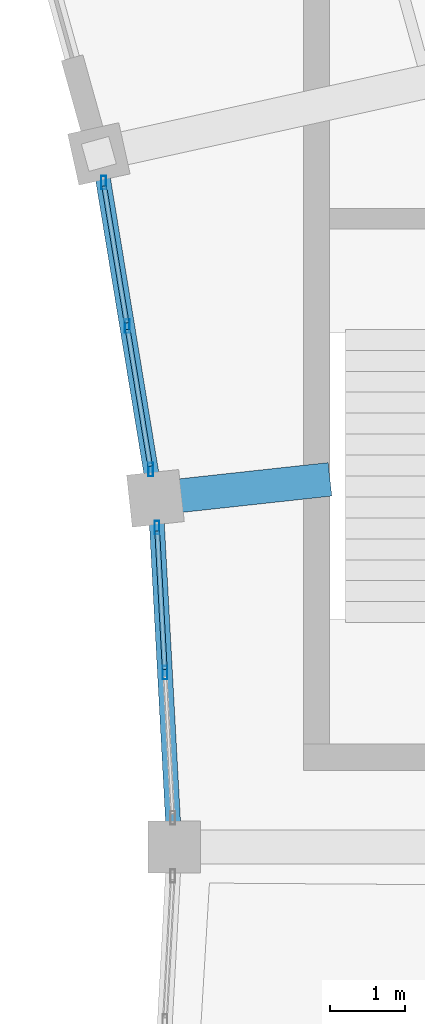
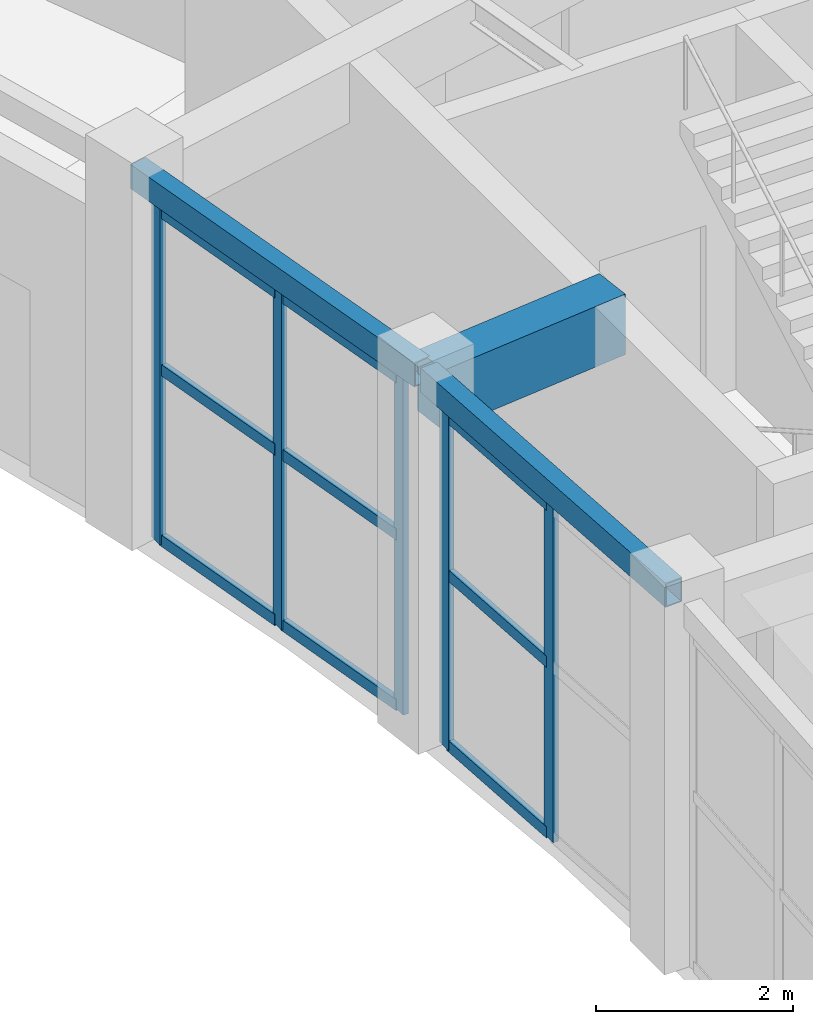
# One storey, part 68 of 108: 14 members, 3 beams, 2 elements without a shape of their own.
"""IFC4 building model written with IfcOpenShell, lengths in metres."""

from ifc_helpers import new_model, si_unit, direction, frame, origin, origin_2d, place, context, subcontext, project, spatial, rectangle, hollow_rectangle, extrude, material, material_profile, profile_set, type_object, element, aggregate, save


model = new_model("IFC4")

# Units and contexts
model_context = context("Model", 3, precision=1e-05, world=origin(), true_north=direction((0.0, 1.0)))
body_context = subcontext(model_context, "Body", "Model", "MODEL_VIEW")
ifc_project = project(units=[si_unit("LENGTHUNIT", "METRE"), si_unit("AREAUNIT", "SQUARE_METRE"), si_unit("VOLUMEUNIT", "CUBIC_METRE"), si_unit("PLANEANGLEUNIT", "RADIAN"), si_unit("MASSUNIT", "GRAM", prefix="KILO")], contexts=[model_context])

# Site, building, storey
site_placement = place(None, origin())
site = spatial("IfcSite", under=ifc_project, at=site_placement, CompositionType="ELEMENT")
building_placement = place(site_placement, origin())
building = spatial("IfcBuilding", under=site, at=building_placement, Name="Tarnveldt Headland Concert Hall", CompositionType="ELEMENT")
storey_placement = place(building_placement, origin())
storey = spatial("IfcBuildingStorey", under=building, at=storey_placement, Name="L00", CompositionType="ELEMENT", Elevation=0.0)

# Beam
ifc_material_1 = material(Name="Concrete C40/50", Category="concrete")
ifc_material_profile_1 = material_profile(ifc_material_1, rectangle(XDim=0.449951171875, YDim=0.75, at=origin_2d()), Name="RC 450x750", Category="concrete")
ifc_profile_set_1 = profile_set([ifc_material_profile_1], Name="Concrete C40/50")
beam_type_1 = type_object("IfcBeamType", Name="CB-450x750", PredefinedType="BEAM", material=ifc_profile_set_1)
beam_1_placement = place(storey_placement, frame((160.306396484375, 64.6669921875, 4.14501953125), z_axis=(0.994101758136, 0.108451346104, 0.0), x_axis=(-0.108451346104, 0.994101758136, 0.0)))
element("IfcBeam", 1, at=beam_1_placement, inside=storey, type_object=beam_type_1, Name="Framing beam L00-494", PredefinedType="BEAM", context=body_context, shape_type="SweptSolid", body=[
    extrude(rectangle(XDim=0.449951171875, YDim=0.75, at=origin_2d()), origin(), (0.0, 0.0, 1.0), 2.287109375),
])

# Curtain wall, members
ifc_material_2 = material(Name="Marine-anodised aluminium EN AW-6063-T6", Category="aluminium")
curtain_wall_type = type_object("IfcCurtainWallType", Name="CW-C1", PredefinedType="NOTDEFINED", material=ifc_material_2)
curtain_wall_1_placement = place(storey_placement, origin())
curtain_wall_1 = element("IfcCurtainWall", 2, at=curtain_wall_1_placement, inside=storey, type_object=curtain_wall_type, Name="Curtain wall CW-L00-102", PredefinedType="NOTDEFINED")
ifc_material_profile_2 = material_profile(ifc_material_2, hollow_rectangle(XDim=0.06494140625, YDim=0.179931640625, WallThickness=0.00390625, at=origin_2d()), Name="ALU MULLION 65x180x4", Category="aluminium")
ifc_profile_set_2 = profile_set([ifc_material_profile_2], Name="Marine-anodised aluminium EN AW-6063-T6")
member_type_1 = type_object("IfcMemberType", Name="ML-180", PredefinedType="MULLION", material=ifc_profile_set_2)
member_1_placement = place(storey_placement, frame((160.373291015625, 62.330322265625, 0.0), z_axis=(0.0, 0.0, 1.0), x_axis=(1.0, 0.0, 0.0)))
member_1 = element("IfcMember", 3, at=member_1_placement, type_object=member_type_1, Name="Mullion CW-L00-102-2", PredefinedType="MULLION", context=body_context, shape_type="SweptSolid", body=[
    extrude(hollow_rectangle(XDim=0.06494140625, YDim=0.179931640625, WallThickness=0.00390625, at=origin_2d()), origin(), (0.0, 0.0, 1.0), 4.159912109375),
])
member_2_placement = place(storey_placement, frame((160.267822265625, 64.271240234375, 0.0), z_axis=(0.0, 0.0, 1.0), x_axis=(1.0, 0.0, 0.0)))
member_2 = element("IfcMember", 4, at=member_2_placement, type_object=member_type_1, Name="Mullion CW-L00-102-3", PredefinedType="MULLION", context=body_context, shape_type="SweptSolid", body=[
    extrude(hollow_rectangle(XDim=0.06494140625, YDim=0.179931640625, WallThickness=0.00390625, at=origin_2d()), origin(), (0.0, 0.0, 1.0), 4.159912109375),
])

curtain_wall_2_placement = place(storey_placement, origin())
curtain_wall_2 = element("IfcCurtainWall", 5, at=curtain_wall_2_placement, inside=storey, type_object=curtain_wall_type, Name="Curtain wall CW-L00-103", PredefinedType="NOTDEFINED")
member_3_placement = place(storey_placement, frame((160.183349609375, 65.04541015625, 0.0), z_axis=(0.0, 0.0, 1.0), x_axis=(1.0, 0.0, 0.0)))
member_3 = element("IfcMember", 6, at=member_3_placement, type_object=member_type_1, Name="Mullion CW-L00-103-1", PredefinedType="MULLION", context=body_context, shape_type="SweptSolid", body=[
    extrude(hollow_rectangle(XDim=0.06494140625, YDim=0.179931640625, WallThickness=0.00390625, at=origin_2d()), origin(), (0.0, 0.0, 1.0), 4.159912109375),
])
member_4_placement = place(storey_placement, frame((159.8681640625, 66.96337890625, 0.0), z_axis=(0.0, 0.0, 1.0), x_axis=(1.0, 0.0, 0.0)))
member_4 = element("IfcMember", 7, at=member_4_placement, type_object=member_type_1, Name="Mullion CW-L00-103-2", PredefinedType="MULLION", context=body_context, shape_type="SweptSolid", body=[
    extrude(hollow_rectangle(XDim=0.06494140625, YDim=0.179931640625, WallThickness=0.00390625, at=origin_2d()), origin(), (0.0, 0.0, 1.0), 4.159912109375),
])
member_5_placement = place(storey_placement, frame((159.552978515625, 68.88134765625, 0.0), z_axis=(0.0, 0.0, 1.0), x_axis=(1.0, 0.0, 0.0)))
member_5 = element("IfcMember", 8, at=member_5_placement, type_object=member_type_1, Name="Mullion CW-L00-103-3", PredefinedType="MULLION", context=body_context, shape_type="SweptSolid", body=[
    extrude(hollow_rectangle(XDim=0.06494140625, YDim=0.179931640625, WallThickness=0.00390625, at=origin_2d()), origin(), (0.0, 0.0, 1.0), 4.159912109375),
])

# Beams
ifc_material_3 = material(Name="Steel S355", Category="steel")
ifc_material_profile_3 = material_profile(ifc_material_3, hollow_rectangle(XDim=0.199951171875, YDim=0.300048828125, WallThickness=0.012451171875, at=origin_2d()), Name="RHS 300x200x12.5", Category="steel")
ifc_profile_set_3 = profile_set([ifc_material_profile_3], Name="Steel S355")
beam_type_2 = type_object("IfcBeamType", Name="SB-RHS300", PredefinedType="SPANDREL", material=ifc_profile_set_3)
beam_2_placement = place(storey_placement, frame((160.49658203125, 60.059814453125, 4.3701171875), z_axis=(-0.05422410232, 0.998528791136, 0.0), x_axis=(-0.998528791136, -0.05422410232, 0.0)))
element("IfcBeam", 9, at=beam_2_placement, inside=storey, type_object=beam_type_2, Name="Framing beam L00-489", PredefinedType="SPANDREL", context=body_context, shape_type="SweptSolid", body=[
    extrude(hollow_rectangle(XDim=0.199951171875, YDim=0.300048828125, WallThickness=0.012451171875, at=origin_2d()), origin(), (0.0, 0.0, 1.0), 4.54736328125),
])
beam_3_placement = place(storey_placement, frame((160.237060546875, 64.7197265625, 4.3701171875), z_axis=(-0.162187266023, 0.986759996524, 0.0), x_axis=(-0.986759996524, -0.162187266023, 0.0)))
element("IfcBeam", 10, at=beam_3_placement, inside=storey, type_object=beam_type_2, Name="Framing beam L00-496", PredefinedType="SPANDREL", context=body_context, shape_type="SweptSolid", body=[
    extrude(hollow_rectangle(XDim=0.199951171875, YDim=0.300048828125, WallThickness=0.012451171875, at=origin_2d()), origin(), (0.0, 0.0, 1.0), 4.547607421875),
])

# Member
ifc_material_profile_4 = material_profile(ifc_material_2, hollow_rectangle(XDim=0.06494140625, YDim=0.139892578125, WallThickness=0.00390625, at=origin_2d()), Name="ALU TRANSOM 65x140x4", Category="aluminium")
ifc_profile_set_4 = profile_set([ifc_material_profile_4], Name="Marine-anodised aluminium EN AW-6063-T6")
member_type_2 = type_object("IfcMemberType", Name="TR-140", PredefinedType="MEMBER", material=ifc_profile_set_4)
member_6_placement = place(storey_placement, frame((160.370849609375, 62.374755859375, 0.050048828125), z_axis=(-0.054230650598, 0.998528435517, 0.0), x_axis=(-0.998528435517, -0.054230650598, 0.0)))
member_6 = element("IfcMember", 11, at=member_6_placement, type_object=member_type_2, Name="Transom CW-L00-102-2-1", PredefinedType="MEMBER", context=body_context, shape_type="SweptSolid", body=[
    extrude(hollow_rectangle(XDim=0.06494140625, YDim=0.139892578125, WallThickness=0.00390625, at=origin_2d()), origin(), (0.0, 0.0, 1.0), 1.854736328125),
])

member_7_placement = place(storey_placement, frame((160.370849609375, 62.374755859375, 2.1630859375), z_axis=(-0.054230650598, 0.998528435517, 0.0), x_axis=(-0.998528435517, -0.054230650598, 0.0)))
member_7 = element("IfcMember", 12, at=member_7_placement, type_object=member_type_2, Name="Transom CW-L00-102-2-2", PredefinedType="MEMBER", context=body_context, shape_type="SweptSolid", body=[
    extrude(hollow_rectangle(XDim=0.06494140625, YDim=0.139892578125, WallThickness=0.00390625, at=origin_2d()), origin(), (0.0, 0.0, 1.0), 1.854736328125),
])

member_8_placement = place(storey_placement, frame((160.370849609375, 62.374755859375, 4.110107421875), z_axis=(-0.054230650598, 0.998528435517, 0.0), x_axis=(-0.998528435517, -0.054230650598, 0.0)))
member_8 = element("IfcMember", 13, at=member_8_placement, type_object=member_type_2, Name="Transom CW-L00-102-2-3", PredefinedType="MEMBER", context=body_context, shape_type="SweptSolid", body=[
    extrude(hollow_rectangle(XDim=0.06494140625, YDim=0.139892578125, WallThickness=0.00390625, at=origin_2d()), origin(), (0.0, 0.0, 1.0), 1.854736328125),
])

aggregate(curtain_wall_1, [member_1, member_2, member_6, member_7, member_8])

member_9_placement = place(storey_placement, frame((160.17626953125, 65.08935546875, 0.050048828125), z_axis=(-0.162178507112, 0.986761436129, 0.0), x_axis=(-0.986761436129, -0.162178507112, 0.0)))
member_9 = element("IfcMember", 14, at=member_9_placement, type_object=member_type_2, Name="Transom CW-L00-103-1-1", PredefinedType="MEMBER", context=body_context, shape_type="SweptSolid", body=[
    extrude(hollow_rectangle(XDim=0.06494140625, YDim=0.139892578125, WallThickness=0.00390625, at=origin_2d()), origin(), (0.0, 0.0, 1.0), 1.854736328125),
])

member_10_placement = place(storey_placement, frame((160.17626953125, 65.08935546875, 2.1630859375), z_axis=(-0.162178507112, 0.986761436129, 0.0), x_axis=(-0.986761436129, -0.162178507112, 0.0)))
member_10 = element("IfcMember", 15, at=member_10_placement, type_object=member_type_2, Name="Transom CW-L00-103-1-2", PredefinedType="MEMBER", context=body_context, shape_type="SweptSolid", body=[
    extrude(hollow_rectangle(XDim=0.06494140625, YDim=0.139892578125, WallThickness=0.00390625, at=origin_2d()), origin(), (0.0, 0.0, 1.0), 1.854736328125),
])

member_11_placement = place(storey_placement, frame((160.17626953125, 65.08935546875, 4.110107421875), z_axis=(-0.162178507112, 0.986761436129, 0.0), x_axis=(-0.986761436129, -0.162178507112, 0.0)))
member_11 = element("IfcMember", 16, at=member_11_placement, type_object=member_type_2, Name="Transom CW-L00-103-1-3", PredefinedType="MEMBER", context=body_context, shape_type="SweptSolid", body=[
    extrude(hollow_rectangle(XDim=0.06494140625, YDim=0.139892578125, WallThickness=0.00390625, at=origin_2d()), origin(), (0.0, 0.0, 1.0), 1.854736328125),
])

member_12_placement = place(storey_placement, frame((159.861083984375, 67.00732421875, 0.050048828125), z_axis=(-0.162178507112, 0.986761436129, 0.0), x_axis=(-0.986761436129, -0.162178507112, 0.0)))
member_12 = element("IfcMember", 17, at=member_12_placement, type_object=member_type_2, Name="Transom CW-L00-103-2-1", PredefinedType="MEMBER", context=body_context, shape_type="SweptSolid", body=[
    extrude(hollow_rectangle(XDim=0.06494140625, YDim=0.139892578125, WallThickness=0.00390625, at=origin_2d()), origin(), (0.0, 0.0, 1.0), 1.854736328125),
])

member_13_placement = place(storey_placement, frame((159.861083984375, 67.00732421875, 2.1630859375), z_axis=(-0.162178507112, 0.986761436129, 0.0), x_axis=(-0.986761436129, -0.162178507112, 0.0)))
member_13 = element("IfcMember", 18, at=member_13_placement, type_object=member_type_2, Name="Transom CW-L00-103-2-2", PredefinedType="MEMBER", context=body_context, shape_type="SweptSolid", body=[
    extrude(hollow_rectangle(XDim=0.06494140625, YDim=0.139892578125, WallThickness=0.00390625, at=origin_2d()), origin(), (0.0, 0.0, 1.0), 1.854736328125),
])

member_14_placement = place(storey_placement, frame((159.861083984375, 67.00732421875, 4.110107421875), z_axis=(-0.162178507112, 0.986761436129, 0.0), x_axis=(-0.986761436129, -0.162178507112, 0.0)))
member_14 = element("IfcMember", 19, at=member_14_placement, type_object=member_type_2, Name="Transom CW-L00-103-2-3", PredefinedType="MEMBER", context=body_context, shape_type="SweptSolid", body=[
    extrude(hollow_rectangle(XDim=0.06494140625, YDim=0.139892578125, WallThickness=0.00390625, at=origin_2d()), origin(), (0.0, 0.0, 1.0), 1.854736328125),
])

aggregate(curtain_wall_2, [member_3, member_4, member_5, member_9, member_10, member_11, member_12, member_13, member_14])

save(model, "model.ifc")
